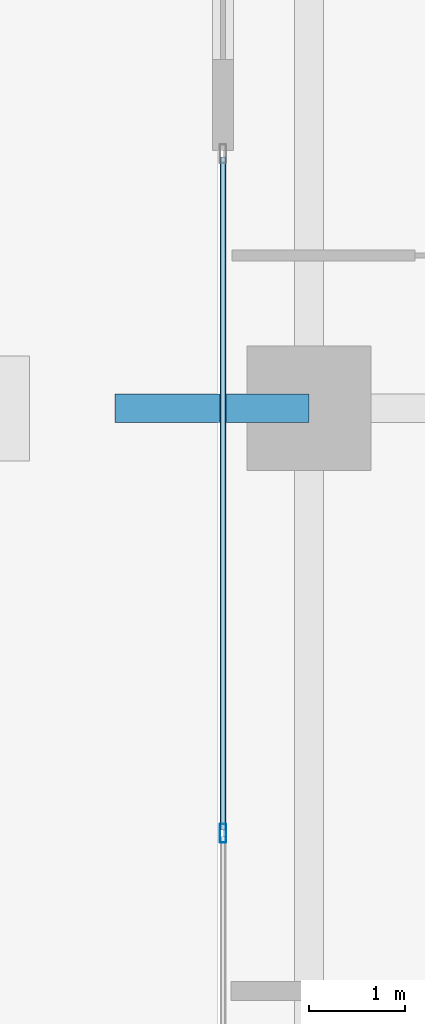
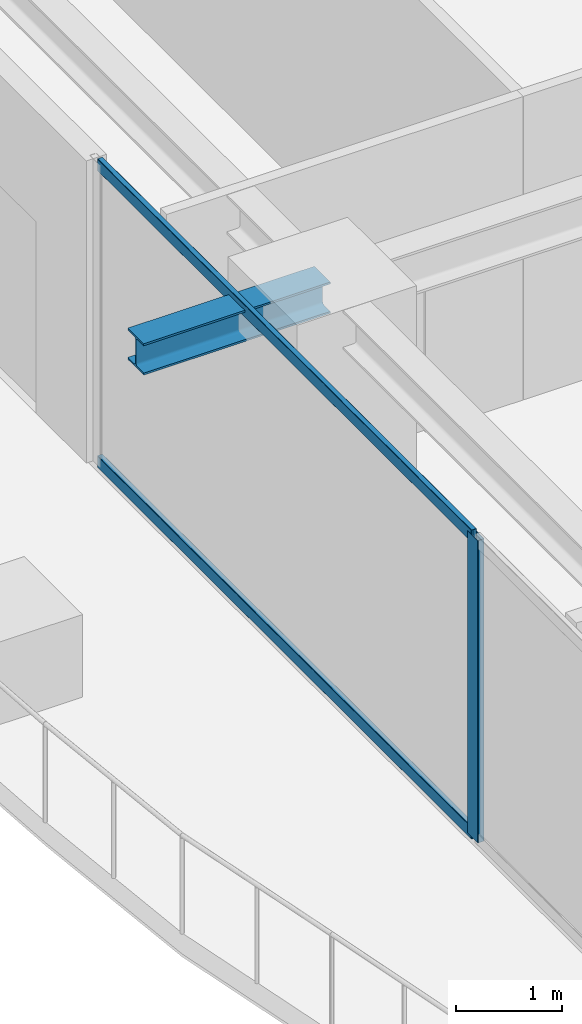
# One storey, part 7 of 34: 3 members, 1 beam, 1 element without a shape of its own.
"""IFC4 building model written with IfcOpenShell, lengths in metres."""

from ifc_helpers import new_model, si_unit, direction, frame, origin, origin_2d, place, context, subcontext, project, spatial, hollow_rectangle, i_section, extrude, source, transform, mapped, material, layer, layer_set, material_profile, profile_set, type_object, element, aggregate, save


model = new_model("IFC4")

# Units and contexts
model_context = context("Model", 3, precision=1e-05, world=origin(), true_north=direction((0.0, 1.0)))
body_context = subcontext(model_context, "Body", "Model", "MODEL_VIEW")
ifc_project = project(units=[si_unit("LENGTHUNIT", "METRE"), si_unit("AREAUNIT", "SQUARE_METRE"), si_unit("VOLUMEUNIT", "CUBIC_METRE"), si_unit("PLANEANGLEUNIT", "RADIAN"), si_unit("MASSUNIT", "GRAM", prefix="KILO")], contexts=[model_context])

# Site, building, storey
site_placement = place(None, origin())
site = spatial("IfcSite", under=ifc_project, at=site_placement, CompositionType="ELEMENT")
building_placement = place(site_placement, origin())
building = spatial("IfcBuilding", under=site, at=building_placement, Name="Serunith Strait Residences", CompositionType="ELEMENT")
storey_placement = place(building_placement, frame((0.0, 0.0, 187.64990234375)))
storey = spatial("IfcBuildingStorey", under=building, at=storey_placement, Name="L47", CompositionType="ELEMENT", Elevation=187.64990234375)

# Beam
ifc_material_1 = material(Name="Steel S355J2", Category="steel")
ifc_material_profile_1 = material_profile(ifc_material_1, i_section(OverallWidth=0.300048828125, OverallDepth=0.360107421875, WebThickness=0.012451171875, FlangeThickness=0.0224609375, FilletRadius=0.027099609375, at=origin_2d()), Name="HEB 360")
ifc_profile_set_1 = profile_set([ifc_material_profile_1], Name="Steel S355J2")
beam_type = type_object("IfcBeamType", Name="BM-HEB360", PredefinedType="BEAM", material=ifc_profile_set_1)
shared_shape_1 = source(origin(), body_context, "Body", "SweptSolid", [
    extrude(i_section(OverallWidth=0.300048828125, OverallDepth=0.360107421875, WebThickness=0.012451171875, FlangeThickness=0.0224609375, FilletRadius=0.027099609375, at=origin_2d()), origin(), (0.0, 0.0, 1.0), 2.030029296875),
])
beam_placement = place(storey_placement, frame((8.699951171875, 21.0, 3.277099609375), z_axis=(-1.0, 0.0, 0.0), x_axis=(0.0, -1.0, 0.0)))
element("IfcBeam", 1, at=beam_placement, inside=storey, type_object=beam_type, Name="L48 Cantilevered Balcony Rib TC-W2", PredefinedType="BEAM", context=body_context, shape_type="MappedRepresentation", body=[
    mapped(shared_shape_1, transform((0.0, 0.0, 0.0), scale=1.0)),
])

# Curtain wall, members
ifc_material_2 = material(Name="Pale-Champagne Anodised Aluminium", Category="aluminium")
ifc_layer = layer(ifc_material_2, 0.199951171875, Name="Pale-Champagne Anodised Aluminium")
ifc_layer_set = layer_set([ifc_layer], Name="Pale-Champagne Anodised Aluminium")
curtain_wall_type = type_object("IfcCurtainWallType", Name="CW-SYS2", PredefinedType="NOTDEFINED", material=ifc_layer_set)
curtain_wall_placement = place(storey_placement, origin())
curtain_wall = element("IfcCurtainWall", 2, at=curtain_wall_placement, inside=storey, type_object=curtain_wall_type, Name="L47 W Unitised Fritted Curtain Wall", PredefinedType="NOTDEFINED")
ifc_material_profile_2 = material_profile(ifc_material_2, hollow_rectangle(XDim=0.070068359375, YDim=0.199951171875, WallThickness=0.00390625, InnerFilletRadius=0.006103515625, OuterFilletRadius=0.010009765625, at=origin_2d()), Name="ALU 200x70x4")
ifc_profile_set_2 = profile_set([ifc_material_profile_2], Name="Pale-Champagne Anodised Aluminium")
member_type_1 = type_object("IfcMemberType", Name="CW-SYS2-MULL", PredefinedType="MULLION", material=ifc_profile_set_2)
shared_shape_2 = source(origin(), body_context, "Body", "SweptSolid", [
    extrude(hollow_rectangle(XDim=0.070068359375, YDim=0.199951171875, WallThickness=0.00390625, InnerFilletRadius=0.006103515625, OuterFilletRadius=0.010009765625, at=origin_2d()), origin(), (0.0, 0.0, 1.0), 3.47509765625),
])
member_1_placement = place(storey_placement, frame((7.800048828125, 16.550048828125, 0.0), z_axis=(0.0, 0.0, 1.0), x_axis=(1.0, 0.0, 0.0)))
member_1 = element("IfcMember", 3, at=member_1_placement, type_object=member_type_1, Name="CW-2 mullion 2", PredefinedType="MULLION", context=body_context, shape_type="MappedRepresentation", body=[
    mapped(shared_shape_2, transform((0.0, 0.0, 0.0), scale=1.0)),
])
ifc_material_profile_3 = material_profile(ifc_material_2, hollow_rectangle(XDim=0.06005859375, YDim=0.139892578125, WallThickness=0.00341796875, InnerFilletRadius=0.00537109375, OuterFilletRadius=0.0087890625, at=origin_2d()), Name="ALU 140x60x3.5")
ifc_profile_set_3 = profile_set([ifc_material_profile_3], Name="Pale-Champagne Anodised Aluminium")
member_type_2 = type_object("IfcMemberType", Name="CW-SYS2-TRAN", PredefinedType="USERDEFINED", material=ifc_profile_set_3)
shared_shape_3 = source(origin(), body_context, "Body", "SweptSolid", [
    extrude(hollow_rectangle(XDim=0.06005859375, YDim=0.139892578125, WallThickness=0.00341796875, InnerFilletRadius=0.00537109375, OuterFilletRadius=0.0087890625, at=origin_2d()), origin(), (0.0, 0.0, 1.0), 7.044921875),
])
member_2_placement = place(storey_placement, frame((7.800048828125, 23.6298828125, 0.030029296875), z_axis=(0.0, -1.0, 0.0), x_axis=(1.0, 0.0, 0.0)))
member_2 = element("IfcMember", 4, at=member_2_placement, type_object=member_type_2, Name="CW-2 transom 1.1", ObjectType="TRANSOM", PredefinedType="USERDEFINED", context=body_context, shape_type="MappedRepresentation", body=[
    mapped(shared_shape_3, transform((0.0, 0.0, 0.0), scale=1.0)),
])
member_3_placement = place(storey_placement, frame((7.800048828125, 23.6298828125, 3.445068359375), z_axis=(0.0, -1.0, 0.0), x_axis=(1.0, 0.0, 0.0)))
member_3 = element("IfcMember", 5, at=member_3_placement, type_object=member_type_2, Name="CW-2 transom 1.2", ObjectType="TRANSOM", PredefinedType="USERDEFINED", context=body_context, shape_type="MappedRepresentation", body=[
    mapped(shared_shape_3, transform((0.0, 0.0, 0.0), scale=1.0)),
])
aggregate(curtain_wall, [member_1, member_2, member_3])

save(model, "model.ifc")
